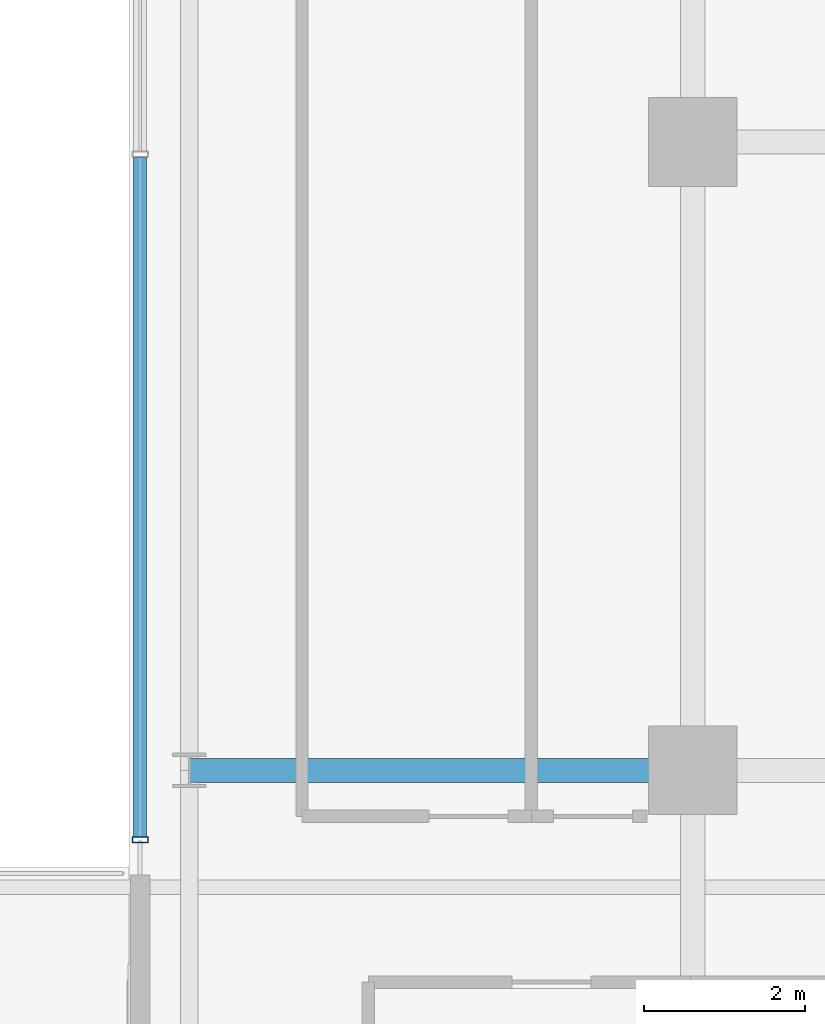
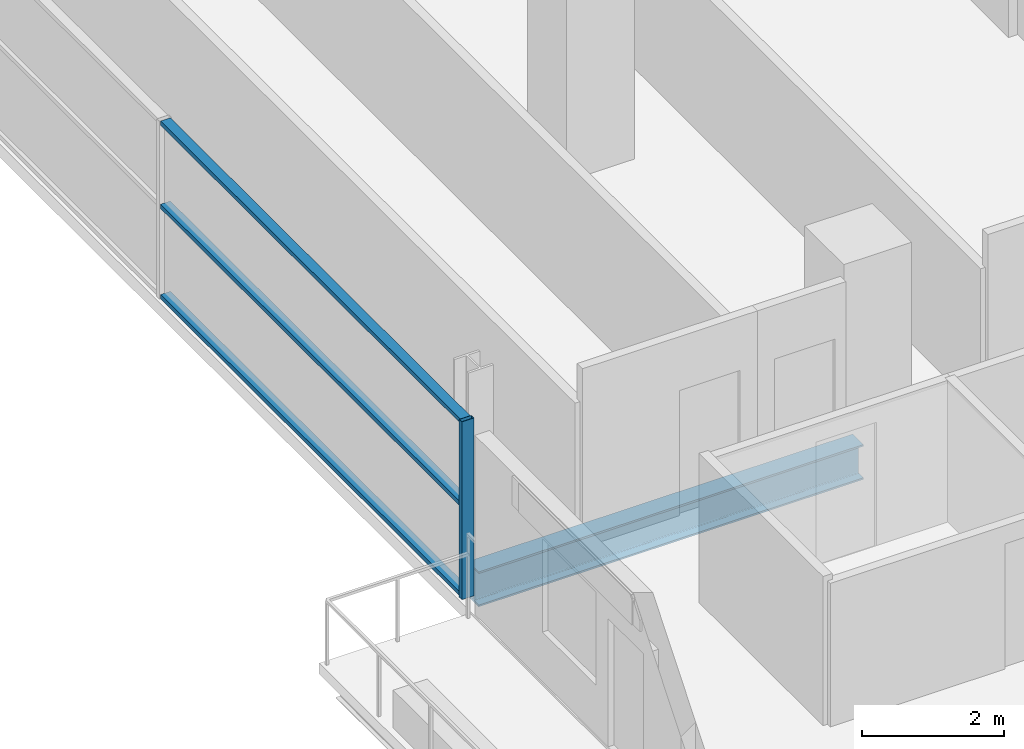
# One storey, part 5 of 31: 4 members, 1 beam, 1 element without a shape of its own.
"""IFC4 building model written with IfcOpenShell, lengths in metres."""

from ifc_helpers import new_model, si_unit, direction, frame, origin, origin_2d, place, context, subcontext, project, spatial, hollow_rectangle, i_section, extrude, source, transform, mapped, material, layer, layer_set, material_profile, profile_set, type_object, element, aggregate, save


model = new_model("IFC4")

# Units and contexts
model_context = context("Model", 3, precision=1e-05, world=origin(), true_north=direction((0.0, 1.0)))
body_context = subcontext(model_context, "Body", "Model", "MODEL_VIEW")
ifc_project = project(units=[si_unit("LENGTHUNIT", "METRE"), si_unit("AREAUNIT", "SQUARE_METRE"), si_unit("VOLUMEUNIT", "CUBIC_METRE"), si_unit("PLANEANGLEUNIT", "RADIAN"), si_unit("MASSUNIT", "GRAM", prefix="KILO")], contexts=[model_context])

# Site, building, storey
site_placement = place(None, origin())
site = spatial("IfcSite", under=ifc_project, at=site_placement, CompositionType="ELEMENT")
building_placement = place(site_placement, origin())
building = spatial("IfcBuilding", under=site, at=building_placement, Name="Zarnakvel Exchange Tower", CompositionType="ELEMENT")
storey_placement = place(building_placement, frame((0.0, 0.0, 67.0)))
storey = spatial("IfcBuildingStorey", under=building, at=storey_placement, Name="L18", CompositionType="ELEMENT", Elevation=67.0)

# Beam
ifc_material_1 = material(Name="Steel S355", Category="steel")
ifc_material_profile_1 = material_profile(ifc_material_1, i_section(OverallWidth=0.300048828125, OverallDepth=0.60009765625, WebThickness=0.015380859375, FlangeThickness=0.030029296875, FilletRadius=0.027099609375, at=origin_2d()))
ifc_profile_set_1 = profile_set([ifc_material_profile_1], Name="Steel S355")
beam_type = type_object("IfcBeamType", Name="G-04", PredefinedType="BEAM", material=ifc_profile_set_1)
beam_placement = place(storey_placement, frame((-27.85009765625, -1.199951171875, -0.52490234375), z_axis=(1.0, 0.0, 0.0), x_axis=(0.0, 1.0, 0.0)))
element("IfcBeam", 1, at=beam_placement, inside=storey, type_object=beam_type, Name="L18 Tower E-W Frame Beam", PredefinedType="BEAM", context=body_context, shape_type="SweptSolid", body=[
    extrude(i_section(OverallWidth=0.300048828125, OverallDepth=0.60009765625, WebThickness=0.015380859375, FlangeThickness=0.030029296875, FilletRadius=0.027099609375, at=origin_2d()), origin(), (0.0, 0.0, 1.0), 6.25),
])

# Curtain wall, members
ifc_material_2 = material(Name="Architectural Bronze Anodised Aluminium", Category="aluminium")
ifc_layer = layer(ifc_material_2, 0.199951171875)
ifc_layer_set = layer_set([ifc_layer], Name="Architectural Bronze Anodised Aluminium")
curtain_wall_type = type_object("IfcCurtainWallType", Name="CW-04", PredefinedType="NOTDEFINED", material=ifc_layer_set)
curtain_wall_placement = place(storey_placement, origin())
curtain_wall = element("IfcCurtainWall", 2, at=curtain_wall_placement, inside=storey, type_object=curtain_wall_type, Name="L18 Curtain Wall CW-L18-WN (CW-04)", PredefinedType="NOTDEFINED")
ifc_material_profile_2 = material_profile(ifc_material_2, hollow_rectangle(XDim=0.159912109375, YDim=0.074951171875, WallThickness=0.00390625, at=origin_2d()))
ifc_profile_set_2 = profile_set([ifc_material_profile_2], Name="Architectural Bronze Anodised Aluminium")
member_type_1 = type_object("IfcMemberType", Name="CWT-04", PredefinedType="USERDEFINED", material=ifc_profile_set_2)
shared_shape_1 = source(origin(), body_context, "Body", "SweptSolid", [
    extrude(hollow_rectangle(XDim=0.159912109375, YDim=0.074951171875, WallThickness=0.00390625, at=origin_2d()), origin(), (0.0, 0.0, 1.0), 8.4375),
])
member_1_placement = place(storey_placement, frame((-28.4599609375, -2.02490234375, 0.03759765625), z_axis=(0.0, 1.0, 0.0), x_axis=(-1.0, 0.0, 0.0)))
member_1 = element("IfcMember", 3, at=member_1_placement, type_object=member_type_1, Name="CW-04 transom 1.1", ObjectType="TRANSOM", PredefinedType="USERDEFINED", context=body_context, shape_type="MappedRepresentation", body=[
    mapped(shared_shape_1, transform((0.0, 0.0, 0.0), x_axis=(1.0, 0.0, 0.0), y_axis=(0.0, 1.0, 0.0), z_axis=(0.0, 0.0, 1.0), scale=1.0)),
])
member_2_placement = place(storey_placement, frame((-28.4599609375, -2.02490234375, 1.588623046875), z_axis=(0.0, 1.0, 0.0), x_axis=(-1.0, 0.0, 0.0)))
member_2 = element("IfcMember", 4, at=member_2_placement, type_object=member_type_1, Name="CW-04 transom 1.2", ObjectType="TRANSOM", PredefinedType="USERDEFINED", context=body_context, shape_type="MappedRepresentation", body=[
    mapped(shared_shape_1, transform((0.0, 0.0, 0.0), x_axis=(1.0, 0.0, 0.0), y_axis=(0.0, 1.0, 0.0), z_axis=(0.0, 0.0, 1.0), scale=1.0)),
])
member_3_placement = place(storey_placement, frame((-28.4599609375, -2.02490234375, 3.017578125), z_axis=(0.0, 1.0, 0.0), x_axis=(-1.0, 0.0, 0.0)))
member_3 = element("IfcMember", 5, at=member_3_placement, type_object=member_type_1, Name="CW-04 transom 1.3", ObjectType="TRANSOM", PredefinedType="USERDEFINED", context=body_context, shape_type="MappedRepresentation", body=[
    mapped(shared_shape_1, transform((0.0, 0.0, 0.0), x_axis=(1.0, 0.0, 0.0), y_axis=(0.0, 1.0, 0.0), z_axis=(0.0, 0.0, 1.0), scale=1.0)),
])
ifc_material_profile_3 = material_profile(ifc_material_2, hollow_rectangle(XDim=0.199951171875, YDim=0.074951171875, WallThickness=0.0048828125, at=origin_2d()))
ifc_profile_set_3 = profile_set([ifc_material_profile_3], Name="Architectural Bronze Anodised Aluminium")
member_type_2 = type_object("IfcMemberType", Name="CWM-04", PredefinedType="MULLION", material=ifc_profile_set_3)
shared_shape_2 = source(origin(), body_context, "Body", "SweptSolid", [
    extrude(hollow_rectangle(XDim=0.199951171875, YDim=0.074951171875, WallThickness=0.0048828125, at=origin_2d()), origin(), (0.0, 0.0, 1.0), 3.054931640625),
])
member_4_placement = place(storey_placement, frame((-28.4599609375, -2.0625, 0.0), z_axis=(0.0, 0.0, 1.0), x_axis=(-1.0, 0.0, 0.0)))
member_4 = element("IfcMember", 6, at=member_4_placement, type_object=member_type_2, Name="CW-04 mullion 1", PredefinedType="MULLION", context=body_context, shape_type="MappedRepresentation", body=[
    mapped(shared_shape_2, transform((0.0, 0.0, 0.0), x_axis=(1.0, 0.0, 0.0), y_axis=(0.0, 1.0, 0.0), z_axis=(0.0, 0.0, 1.0), scale=1.0)),
])
aggregate(curtain_wall, [member_4, member_1, member_2, member_3])

save(model, "model.ifc")
